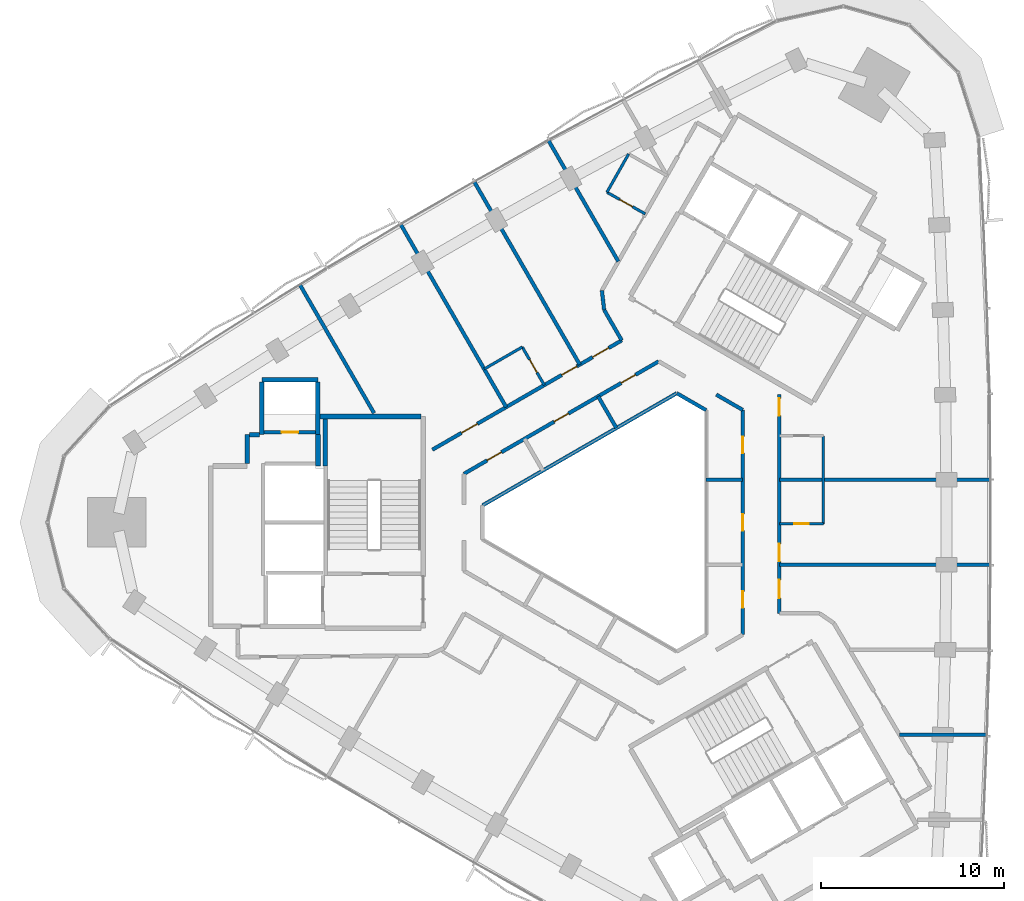
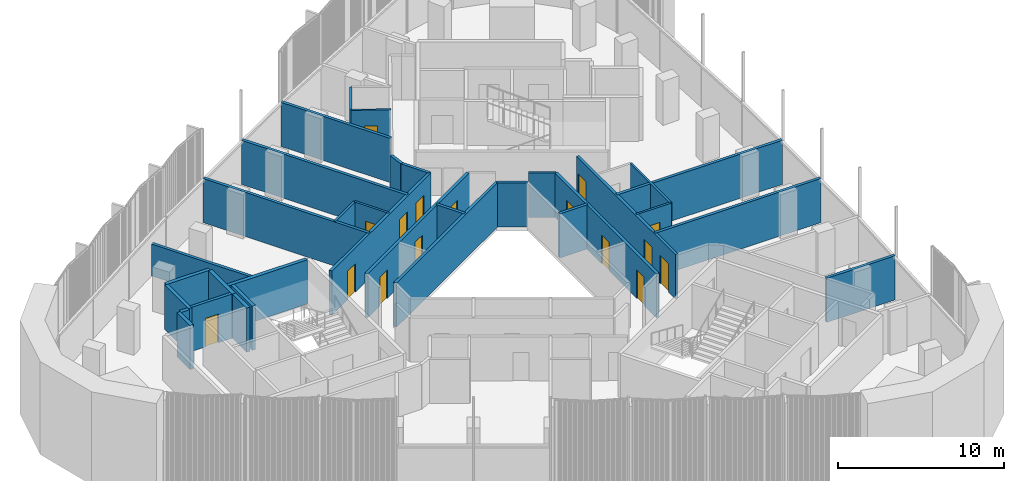
# One storey, part 9 of 14: 33 walls, 16 doors, 16 openings.
"""IFC4 building model written with IfcOpenShell, lengths in metres."""

from ifc_helpers import new_model, si_unit, direction, frame, frame_2d, origin, place, context, subcontext, project, spatial, rectangle, extrude, material, layer, layer_set, type_object, element, fill, save


model = new_model("IFC4")

# Units and contexts
model_context = context("Model", 3, precision=1e-05, world=origin(), true_north=direction((0.0, 1.0)))
body_context = subcontext(model_context, "Body", "Model", "MODEL_VIEW")
ifc_project = project(units=[si_unit("LENGTHUNIT", "METRE"), si_unit("AREAUNIT", "SQUARE_METRE"), si_unit("VOLUMEUNIT", "CUBIC_METRE"), si_unit("PLANEANGLEUNIT", "RADIAN"), si_unit("MASSUNIT", "GRAM", prefix="KILO")], contexts=[model_context])

# Site, building, storey
site_placement = place(None, origin())
site = spatial("IfcSite", under=ifc_project, at=site_placement, CompositionType="ELEMENT")
building_placement = place(site_placement, origin())
building = spatial("IfcBuilding", under=site, at=building_placement, Name="Tamra Quay Hotel Tower", CompositionType="ELEMENT")
storey_placement = place(building_placement, frame((0.0, 0.0, 197.199951171875)))
storey = spatial("IfcBuildingStorey", under=building, at=storey_placement, Name="L49", CompositionType="ELEMENT", Elevation=197.199951171875)

# Wall, opening, door
ifc_material_1 = material(Name="Concrete M70", Category="concrete")
ifc_layer_1 = layer(ifc_material_1, 0.199951171875)
ifc_layer_set_1 = layer_set([ifc_layer_1], Name="Concrete M70 core wall 200")
wall_type_1 = type_object("IfcWallType", Name="Concrete M70 core wall 200", PredefinedType="SHEAR", material=ifc_layer_set_1)
wall_1_placement = place(storey_placement, frame((-19.51123046875, 4.91015625, 0.0), z_axis=(0.0, 0.0, 1.0), x_axis=(1.0, 0.0, 0.0)))
wall_1 = element("IfcWall", 1, at=wall_1_placement, inside=storey, type_object=wall_type_1, Name="CW2", PredefinedType="SHEAR", context=body_context, shape_type="SweptSolid", body=[
    extrude(rectangle(XDim=2.7978515625, YDim=0.199951171875, at=frame_2d((1.39892578125, 0.0))), origin(), (0.0, 0.0, 1.0), 3.25),
])
opening_1_placement = place(wall_1_placement, frame((0.948974609375, 0.0, 0.0)))
opening_1 = element("IfcOpeningElement", 2, at=opening_1_placement, cuts=wall_1, Name="Opening D1", PredefinedType="OPENING", context=body_context, shape_type="SweptSolid", body=[
    extrude(rectangle(XDim=0.89990234375, YDim=2.10009765625, at=frame_2d((0.449951171875, 1.050048828125))), frame((0.0, 0.10986328125, 0.0), z_axis=(0.0, -1.0, 0.0), x_axis=(1.0, 0.0, 0.0)), (0.0, 0.0, 1.0), 0.219970703125),
])
ifc_material_2 = material(Name="Core door D1 900x2100 LH")
door_type_1 = type_object("IfcDoorType", Name="Core door D1 900x2100 LH", OperationType="NOTDEFINED", PredefinedType="DOOR", material=ifc_material_2)
door_1_placement = place(opening_1_placement, origin())
door_1 = element("IfcDoor", 3, at=door_1_placement, inside=storey, type_object=door_type_1, Name="D1", OperationType="SINGLE_SWING_LEFT", OverallHeight=2.10009765625, OverallWidth=0.89990234375, PredefinedType="DOOR", context=body_context, shape_type="SweptSolid", body=[
    extrude(rectangle(XDim=0.89990234375, YDim=2.10009765625, at=frame_2d((0.449951171875, 1.050048828125))), frame((0.0, 0.02490234375, 0.0), z_axis=(0.0, -1.0, 0.0), x_axis=(1.0, 0.0, 0.0)), (0.0, 0.0, 1.0), 0.050048828125),
])
fill(opening_1, door_1)

# Walls
ifc_layer_2 = layer(ifc_material_1, 0.25)
ifc_layer_set_2 = layer_set([ifc_layer_2], Name="Concrete M70 core wall 250")
wall_type_2 = type_object("IfcWallType", Name="Concrete M70 core wall 250", PredefinedType="SHEAR", material=ifc_layer_set_2)
wall_2_placement = place(storey_placement, frame((-16.47216796875, 5.77490234375, 0.0), z_axis=(0.0, 0.0, 1.0), x_axis=(1.0, 0.0, 0.0)))
element("IfcWall", 4, at=wall_2_placement, inside=storey, type_object=wall_type_2, Name="CW1", PredefinedType="SHEAR", context=body_context, shape_type="SweptSolid", body=[
    extrude(rectangle(XDim=5.509521484375, YDim=0.25, at=frame_2d((2.7548828125, 0.0))), origin(), (0.0, 0.0, 1.0), 3.25),
])
wall_3_placement = place(storey_placement, frame((-19.63720703125, 7.77490234375, 0.0), z_axis=(0.0, 0.0, 1.0), x_axis=(1.0, 0.0, 0.0)))
element("IfcWall", 5, at=wall_3_placement, inside=storey, type_object=wall_type_2, Name="CW1", PredefinedType="SHEAR", context=body_context, shape_type="SweptSolid", body=[
    extrude(rectangle(XDim=3.0498046875, YDim=0.25, at=frame_2d((1.52490234375, 0.0))), origin(), (0.0, 0.0, 1.0), 3.25),
])
for number, where, z_axis, x_axis, name in (
    (6, (-16.58740234375, 7.649658203125, 0.0), (0.0, 0.0, 1.0), (0.0, -1.0, 0.0), "CW1"),
    (7, (-19.63720703125, 4.784912109375, 0.0), (0.0, 0.0, 1.0), (0.0, 1.0, 0.0), "CW1"),
):
    element("IfcWall", number, at=place(storey_placement, frame(where, z_axis=z_axis, x_axis=x_axis)), inside=storey, type_object=wall_type_2, Name=name, PredefinedType="SHEAR", context=body_context, shape_type="SweptSolid", body=[
        extrude(rectangle(XDim=2.86474609375, YDim=0.25, at=frame_2d((1.432373046875, 0.0))), origin(), (0.0, 0.0, 1.0), 3.25),
    ])
wall_4_placement = place(storey_placement, frame((-16.187255859375, 3.074951171875, 0.0), z_axis=(0.0, 0.0, 1.0), x_axis=(0.0, 1.0, 0.0)))
element("IfcWall", 8, at=wall_4_placement, inside=storey, type_object=wall_type_2, Name="CW1", PredefinedType="SHEAR", context=body_context, shape_type="SweptSolid", body=[
    extrude(rectangle(XDim=2.57470703125, YDim=0.25, at=frame_2d((1.287353515625, 0.0))), origin(), (0.0, 0.0, 1.0), 3.25),
])
wall_5_placement = place(storey_placement, frame((-16.577392578125, 4.784912109375, 0.0), z_axis=(0.0, 0.0, 1.0), x_axis=(0.0, -1.0, 0.0)))
element("IfcWall", 9, at=wall_5_placement, inside=storey, type_object=wall_type_2, Name="CW1", PredefinedType="SHEAR", context=body_context, shape_type="SweptSolid", body=[
    extrude(rectangle(XDim=1.7099609375, YDim=0.25, at=frame_2d((0.85498046875, 0.0))), origin(), (0.0, 0.0, 1.0), 3.25),
])
wall_6_placement = place(storey_placement, frame((-20.447265625, 3.200439453125, 0.0), z_axis=(0.0, 0.0, 1.0), x_axis=(0.0, 1.0, 0.0)))
element("IfcWall", 10, at=wall_6_placement, inside=storey, type_object=wall_type_2, Name="CW1", PredefinedType="SHEAR", context=body_context, shape_type="SweptSolid", body=[
    extrude(rectangle(XDim=1.58447265625, YDim=0.25, at=frame_2d((0.792236328125, 0.0))), origin(), (0.0, 0.0, 1.0), 3.25),
])
wall_7_placement = place(storey_placement, frame((-20.32177734375, 4.784912109375, 0.0), z_axis=(0.0, 0.0, 1.0), x_axis=(1.0, 0.0, 0.0)))
element("IfcWall", 11, at=wall_7_placement, inside=storey, type_object=wall_type_2, Name="CW1", PredefinedType="SHEAR", context=body_context, shape_type="SweptSolid", body=[
    extrude(rectangle(XDim=0.55908203125, YDim=0.25, at=frame_2d((0.279541015625, 0.0))), origin(), (0.0, 0.0, 1.0), 3.25),
])

# Wall, openings, doors
ifc_material_3 = material(Name="Partition corridor wall")
ifc_layer_3 = layer(ifc_material_3, 0.199951171875)
ifc_layer_set_3 = layer_set([ifc_layer_3], Name="Partition corridor wall")
wall_type_3 = type_object("IfcWallType", Name="Partition corridor wall", PredefinedType="PARTITIONING", material=ifc_layer_set_3)
wall_8_placement = place(storey_placement, frame((-10.33447265625, 3.963134765625, 0.0), z_axis=(0.0, 0.0, 1.0), x_axis=(0.866013159114, 0.500021207791, 0.0)))
wall_8 = element("IfcWall", 12, at=wall_8_placement, inside=storey, type_object=wall_type_3, Name="W-C", PredefinedType="PARTITIONING", context=body_context, shape_type="SweptSolid", body=[
    extrude(rectangle(XDim=11.93115234375, YDim=0.199951171875, at=frame_2d((5.965576171875, 0.0))), origin(), (0.0, 0.0, 1.0), 3.25),
])
opening_2_placement = place(wall_8_placement, frame((10.103271484375, 0.0, 0.0)))
opening_2 = element("IfcOpeningElement", 13, at=opening_2_placement, cuts=wall_8, Name="Opening L49-D011", PredefinedType="OPENING", context=body_context, shape_type="SweptSolid", body=[
    extrude(rectangle(XDim=1.0, YDim=2.10009765625, at=frame_2d((0.5, 1.050048828125))), frame((0.0, 0.10986328125, 0.0), z_axis=(0.0, -1.0, 0.0), x_axis=(1.0, 0.0, 0.0)), (0.0, 0.0, 1.0), 0.219970703125),
])
opening_3_placement = place(wall_8_placement, frame((8.148681640625, 0.0, 0.0)))
opening_3 = element("IfcOpeningElement", 14, at=opening_3_placement, cuts=wall_8, Name="Opening L49-D012", PredefinedType="OPENING", context=body_context, shape_type="SweptSolid", body=[
    extrude(rectangle(XDim=0.949951171875, YDim=2.10009765625, at=frame_2d((0.47509765625, 1.050048828125))), frame((0.0, 0.10986328125, 0.0), z_axis=(0.0, -1.0, 0.0), x_axis=(1.0, 0.0, 0.0)), (0.0, 0.0, 1.0), 0.219970703125),
])
opening_4_placement = place(wall_8_placement, frame((1.83056640625, 0.0, 0.0)))
opening_4 = element("IfcOpeningElement", 15, at=opening_4_placement, cuts=wall_8, Name="Opening L49-D014", PredefinedType="OPENING", context=body_context, shape_type="SweptSolid", body=[
    extrude(rectangle(XDim=1.0, YDim=2.10009765625, at=frame_2d((0.5, 1.050048828125))), frame((0.0, 0.10986328125, 0.0), z_axis=(0.0, -1.0, 0.0), x_axis=(1.0, 0.0, 0.0)), (0.0, 0.0, 1.0), 0.219970703125),
])
ifc_material_4 = material(Name="Door guest room 1000x2100")
door_type_2 = type_object("IfcDoorType", Name="Door guest room 1000x2100", OperationType="NOTDEFINED", PredefinedType="DOOR", material=ifc_material_4)
door_2_placement = place(opening_2_placement, origin())
door_2 = element("IfcDoor", 16, at=door_2_placement, inside=storey, type_object=door_type_2, Name="L49-D011", OperationType="SINGLE_SWING_LEFT", OverallHeight=2.10009765625, OverallWidth=1.0, PredefinedType="DOOR", context=body_context, shape_type="SweptSolid", body=[
    extrude(rectangle(XDim=1.0, YDim=2.10009765625, at=frame_2d((0.5, 1.050048828125))), frame((0.0, 0.02490234375, 0.0), z_axis=(0.0, -1.0, 0.0), x_axis=(1.0, 0.0, 0.0)), (0.0, 0.0, 1.0), 0.050048828125),
])
fill(opening_2, door_2)
door_3_placement = place(opening_4_placement, origin())
door_3 = element("IfcDoor", 17, at=door_3_placement, inside=storey, type_object=door_type_2, Name="L49-D014", OperationType="SINGLE_SWING_LEFT", OverallHeight=2.10009765625, OverallWidth=1.0, PredefinedType="DOOR", context=body_context, shape_type="SweptSolid", body=[
    extrude(rectangle(XDim=1.0, YDim=2.10009765625, at=frame_2d((0.5, 1.050048828125))), frame((0.0, 0.02490234375, 0.0), z_axis=(0.0, -1.0, 0.0), x_axis=(1.0, 0.0, 0.0)), (0.0, 0.0, 1.0), 0.050048828125),
])
fill(opening_4, door_3)
ifc_material_5 = material(Name="Door guest room 950x2100")
door_type_3 = type_object("IfcDoorType", Name="Door guest room 950x2100", OperationType="NOTDEFINED", PredefinedType="DOOR", material=ifc_material_5)
door_4_placement = place(opening_3_placement, origin())
door_4 = element("IfcDoor", 18, at=door_4_placement, inside=storey, type_object=door_type_3, Name="L49-D012", OperationType="SINGLE_SWING_LEFT", OverallHeight=2.10009765625, OverallWidth=0.949951171875, PredefinedType="DOOR", context=body_context, shape_type="SweptSolid", body=[
    extrude(rectangle(XDim=0.949951171875, YDim=2.10009765625, at=frame_2d((0.47509765625, 1.050048828125))), frame((0.0, 0.02490234375, 0.0), z_axis=(0.0, -1.0, 0.0), x_axis=(1.0, 0.0, 0.0)), (0.0, 0.0, 1.0), 0.050048828125),
])
fill(opening_3, door_4)

wall_9_placement = place(storey_placement, frame((-8.611083984375, 2.647705078125, 0.0), z_axis=(0.0, 0.0, 1.0), x_axis=(0.865953566425, 0.500124405319, 0.0)))
wall_9 = element("IfcWall", 19, at=wall_9_placement, inside=storey, type_object=wall_type_3, Name="W-C", PredefinedType="PARTITIONING", context=body_context, shape_type="SweptSolid", body=[
    extrude(rectangle(XDim=12.267333984375, YDim=0.199951171875, at=frame_2d((6.1337890625, 0.0))), origin(), (0.0, 0.0, 1.0), 3.25),
])
opening_5_placement = place(wall_9_placement, frame((9.904052734375, 0.0, 0.0)))
opening_5 = element("IfcOpeningElement", 20, at=opening_5_placement, cuts=wall_9, Name="Opening L49-D024", PredefinedType="OPENING", context=body_context, shape_type="SweptSolid", body=[
    extrude(rectangle(XDim=0.89990234375, YDim=2.10009765625, at=frame_2d((0.449951171875, 1.050048828125))), frame((0.0, 0.10986328125, 0.0), z_axis=(0.0, -1.0, 0.0), x_axis=(1.0, 0.0, 0.0)), (0.0, 0.0, 1.0), 0.219970703125),
])
opening_6_placement = place(wall_9_placement, frame((5.683349609375, 0.0, 0.0)))
opening_6 = element("IfcOpeningElement", 21, at=opening_6_placement, cuts=wall_9, Name="Opening L49-D025", PredefinedType="OPENING", context=body_context, shape_type="SweptSolid", body=[
    extrude(rectangle(XDim=0.89990234375, YDim=2.10009765625, at=frame_2d((0.449951171875, 1.050048828125))), frame((0.0, 0.10986328125, 0.0), z_axis=(0.0, -1.0, 0.0), x_axis=(1.0, 0.0, 0.0)), (0.0, 0.0, 1.0), 0.219970703125),
])
opening_7_placement = place(wall_9_placement, frame((1.46337890625, 0.0, 0.0)))
opening_7 = element("IfcOpeningElement", 22, at=opening_7_placement, cuts=wall_9, Name="Opening L49-D026", PredefinedType="OPENING", context=body_context, shape_type="SweptSolid", body=[
    extrude(rectangle(XDim=0.89990234375, YDim=2.10009765625, at=frame_2d((0.449951171875, 1.050048828125))), frame((0.0, 0.10986328125, 0.0), z_axis=(0.0, -1.0, 0.0), x_axis=(1.0, 0.0, 0.0)), (0.0, 0.0, 1.0), 0.219970703125),
])
ifc_material_6 = material(Name="Door service room 900x2100")
door_type_4 = type_object("IfcDoorType", Name="Door service room 900x2100", OperationType="NOTDEFINED", PredefinedType="DOOR", material=ifc_material_6)
door_5_placement = place(opening_5_placement, frame((0.89990234375, 0.0, 0.0), z_axis=(0.0, 0.0, 1.0), x_axis=(-1.0, 0.0, 0.0)))
door_5 = element("IfcDoor", 23, at=door_5_placement, inside=storey, type_object=door_type_4, Name="L49-D024", OperationType="SINGLE_SWING_LEFT", OverallHeight=2.10009765625, OverallWidth=0.89990234375, PredefinedType="DOOR", context=body_context, shape_type="SweptSolid", body=[
    extrude(rectangle(XDim=0.89990234375, YDim=2.10009765625, at=frame_2d((0.449951171875, 1.050048828125))), frame((0.0, 0.02490234375, 0.0), z_axis=(0.0, -1.0, 0.0), x_axis=(1.0, 0.0, 0.0)), (0.0, 0.0, 1.0), 0.050048828125),
])
fill(opening_5, door_5)
door_6_placement = place(opening_6_placement, frame((0.89990234375, 0.0, 0.0), z_axis=(0.0, 0.0, 1.0), x_axis=(-1.0, 0.0, 0.0)))
door_6 = element("IfcDoor", 24, at=door_6_placement, inside=storey, type_object=door_type_4, Name="L49-D025", OperationType="SINGLE_SWING_LEFT", OverallHeight=2.10009765625, OverallWidth=0.89990234375, PredefinedType="DOOR", context=body_context, shape_type="SweptSolid", body=[
    extrude(rectangle(XDim=0.89990234375, YDim=2.10009765625, at=frame_2d((0.449951171875, 1.050048828125))), frame((0.0, 0.02490234375, 0.0), z_axis=(0.0, -1.0, 0.0), x_axis=(1.0, 0.0, 0.0)), (0.0, 0.0, 1.0), 0.050048828125),
])
fill(opening_6, door_6)
door_7_placement = place(opening_7_placement, frame((0.89990234375, 0.0, 0.0), z_axis=(0.0, 0.0, 1.0), x_axis=(-1.0, 0.0, 0.0)))
door_7 = element("IfcDoor", 25, at=door_7_placement, inside=storey, type_object=door_type_4, Name="L49-D026", OperationType="SINGLE_SWING_LEFT", OverallHeight=2.10009765625, OverallWidth=0.89990234375, PredefinedType="DOOR", context=body_context, shape_type="SweptSolid", body=[
    extrude(rectangle(XDim=0.89990234375, YDim=2.10009765625, at=frame_2d((0.449951171875, 1.050048828125))), frame((0.0, 0.02490234375, 0.0), z_axis=(0.0, -1.0, 0.0), x_axis=(1.0, 0.0, 0.0)), (0.0, 0.0, 1.0), 0.050048828125),
])
fill(opening_7, door_7)

# Walls
wall_10_placement = place(storey_placement, frame((-1.0849609375, 12.64990234375, 0.0), z_axis=(0.0, 0.0, 1.0), x_axis=(0.113812454263, -0.993502252264, 0.0)))
element("IfcWall", 26, at=wall_10_placement, inside=storey, type_object=wall_type_3, Name="W-C", PredefinedType="PARTITIONING", context=body_context, shape_type="SweptSolid", body=[
    extrude(rectangle(XDim=1.061767578125, YDim=0.199951171875, at=frame_2d((0.53076171875, 0.0))), origin(), (0.0, 0.0, 1.0), 3.25),
])
wall_11_placement = place(storey_placement, frame((-0.964111328125, 11.594970703125, 0.0), z_axis=(0.0, 0.0, 1.0), x_axis=(0.500110566207, -0.865961558944, 0.0)))
element("IfcWall", 27, at=wall_11_placement, inside=storey, type_object=wall_type_3, Name="W-C", PredefinedType="PARTITIONING", context=body_context, shape_type="SweptSolid", body=[
    extrude(rectangle(XDim=1.923828125, YDim=0.199951171875, at=frame_2d((0.9619140625, 0.0))), origin(), (0.0, 0.0, 1.0), 3.25),
])
wall_12_placement = place(storey_placement, frame((5.156005859375, 6.968017578125, 0.0), z_axis=(0.0, 0.0, 1.0), x_axis=(0.865963705197, -0.500106849865, 0.0)))
element("IfcWall", 28, at=wall_12_placement, inside=storey, type_object=wall_type_3, Name="W-C", PredefinedType="PARTITIONING", context=body_context, shape_type="SweptSolid", body=[
    extrude(rectangle(XDim=1.667724609375, YDim=0.199951171875, at=frame_2d((0.833984375, 0.0))), origin(), (0.0, 0.0, 1.0), 3.25),
])

# Wall, openings, doors
wall_13_placement = place(storey_placement, frame((6.60009765625, -6.134033203125, 0.0), z_axis=(0.0, 0.0, 1.0), x_axis=(0.0, 1.0, 0.0)))
wall_13 = element("IfcWall", 29, at=wall_13_placement, inside=storey, type_object=wall_type_3, Name="W-C", PredefinedType="PARTITIONING", context=body_context, shape_type="SweptSolid", body=[
    extrude(rectangle(XDim=12.26806640625, YDim=0.199951171875, at=frame_2d((6.134033203125, 0.0))), origin(), (0.0, 0.0, 1.0), 3.25),
])
opening_8_placement = place(wall_13_placement, frame((1.46337890625, 0.0, 0.0)))
opening_8 = element("IfcOpeningElement", 30, at=opening_8_placement, cuts=wall_13, Name="Opening L49-D021", PredefinedType="OPENING", context=body_context, shape_type="SweptSolid", body=[
    extrude(rectangle(XDim=0.89990234375, YDim=2.10009765625, at=frame_2d((0.449951171875, 1.050048828125))), frame((0.0, 0.10986328125, 0.0), z_axis=(0.0, -1.0, 0.0), x_axis=(1.0, 0.0, 0.0)), (0.0, 0.0, 1.0), 0.219970703125),
])
opening_9_placement = place(wall_13_placement, frame((5.68408203125, 0.0, 0.0)))
opening_9 = element("IfcOpeningElement", 31, at=opening_9_placement, cuts=wall_13, Name="Opening L49-D022", PredefinedType="OPENING", context=body_context, shape_type="SweptSolid", body=[
    extrude(rectangle(XDim=0.89990234375, YDim=2.10009765625, at=frame_2d((0.449951171875, 1.050048828125))), frame((0.0, 0.10986328125, 0.0), z_axis=(0.0, -1.0, 0.0), x_axis=(1.0, 0.0, 0.0)), (0.0, 0.0, 1.0), 0.219970703125),
])
opening_10_placement = place(wall_13_placement, frame((9.904541015625, 0.0, 0.0)))
opening_10 = element("IfcOpeningElement", 32, at=opening_10_placement, cuts=wall_13, Name="Opening L49-D023", PredefinedType="OPENING", context=body_context, shape_type="SweptSolid", body=[
    extrude(rectangle(XDim=0.89990234375, YDim=2.10009765625, at=frame_2d((0.449951171875, 1.050048828125))), frame((0.0, 0.10986328125, 0.0), z_axis=(0.0, -1.0, 0.0), x_axis=(1.0, 0.0, 0.0)), (0.0, 0.0, 1.0), 0.219970703125),
])
door_8_placement = place(opening_8_placement, origin())
door_8 = element("IfcDoor", 33, at=door_8_placement, inside=storey, type_object=door_type_4, Name="L49-D021", OperationType="SINGLE_SWING_LEFT", OverallHeight=2.10009765625, OverallWidth=0.89990234375, PredefinedType="DOOR", context=body_context, shape_type="SweptSolid", body=[
    extrude(rectangle(XDim=0.89990234375, YDim=2.10009765625, at=frame_2d((0.449951171875, 1.050048828125))), frame((0.0, 0.02490234375, 0.0), z_axis=(0.0, -1.0, 0.0), x_axis=(1.0, 0.0, 0.0)), (0.0, 0.0, 1.0), 0.050048828125),
])
fill(opening_8, door_8)
door_9_placement = place(opening_9_placement, origin())
door_9 = element("IfcDoor", 34, at=door_9_placement, inside=storey, type_object=door_type_4, Name="L49-D022", OperationType="SINGLE_SWING_LEFT", OverallHeight=2.10009765625, OverallWidth=0.89990234375, PredefinedType="DOOR", context=body_context, shape_type="SweptSolid", body=[
    extrude(rectangle(XDim=0.89990234375, YDim=2.10009765625, at=frame_2d((0.449951171875, 1.050048828125))), frame((0.0, 0.02490234375, 0.0), z_axis=(0.0, -1.0, 0.0), x_axis=(1.0, 0.0, 0.0)), (0.0, 0.0, 1.0), 0.050048828125),
])
fill(opening_9, door_9)
door_10_placement = place(opening_10_placement, origin())
door_10 = element("IfcDoor", 35, at=door_10_placement, inside=storey, type_object=door_type_4, Name="L49-D023", OperationType="SINGLE_SWING_LEFT", OverallHeight=2.10009765625, OverallWidth=0.89990234375, PredefinedType="DOOR", context=body_context, shape_type="SweptSolid", body=[
    extrude(rectangle(XDim=0.89990234375, YDim=2.10009765625, at=frame_2d((0.449951171875, 1.050048828125))), frame((0.0, 0.02490234375, 0.0), z_axis=(0.0, -1.0, 0.0), x_axis=(1.0, 0.0, 0.0)), (0.0, 0.0, 1.0), 0.050048828125),
])
fill(opening_10, door_10)

wall_14_placement = place(storey_placement, frame((8.60009765625, -4.966064453125, 0.0), z_axis=(0.0, 0.0, 1.0), x_axis=(0.0, 1.0, 0.0)))
wall_14 = element("IfcWall", 36, at=wall_14_placement, inside=storey, type_object=wall_type_3, Name="W-C", PredefinedType="PARTITIONING", context=body_context, shape_type="SweptSolid", body=[
    extrude(rectangle(XDim=11.93408203125, YDim=0.199951171875, at=frame_2d((5.967041015625, 0.0))), origin(), (0.0, 0.0, 1.0), 3.25),
])
opening_11_placement = place(wall_14_placement, frame((0.82958984375, 0.0, 0.0)))
opening_11 = element("IfcOpeningElement", 37, at=opening_11_placement, cuts=wall_14, Name="Opening L49-D003", PredefinedType="OPENING", context=body_context, shape_type="SweptSolid", body=[
    extrude(rectangle(XDim=1.0, YDim=2.10009765625, at=frame_2d((0.5, 1.050048828125))), frame((0.0, 0.10986328125, 0.0), z_axis=(0.0, -1.0, 0.0), x_axis=(1.0, 0.0, 0.0)), (0.0, 0.0, 1.0), 0.219970703125),
])
opening_12_placement = place(wall_14_placement, frame((2.8349609375, 0.0, 0.0)))
opening_12 = element("IfcOpeningElement", 38, at=opening_12_placement, cuts=wall_14, Name="Opening L49-D004", PredefinedType="OPENING", context=body_context, shape_type="SweptSolid", body=[
    extrude(rectangle(XDim=0.949951171875, YDim=2.10009765625, at=frame_2d((0.47509765625, 1.050048828125))), frame((0.0, 0.10986328125, 0.0), z_axis=(0.0, -1.0, 0.0), x_axis=(1.0, 0.0, 0.0)), (0.0, 0.0, 1.0), 0.219970703125),
])
opening_13_placement = place(wall_14_placement, frame((10.783935546875, 0.0, 0.0)))
opening_13 = element("IfcOpeningElement", 39, at=opening_13_placement, cuts=wall_14, Name="Opening L49-D006", PredefinedType="OPENING", context=body_context, shape_type="SweptSolid", body=[
    extrude(rectangle(XDim=0.949951171875, YDim=2.10009765625, at=frame_2d((0.47509765625, 1.050048828125))), frame((0.0, 0.10986328125, 0.0), z_axis=(0.0, -1.0, 0.0), x_axis=(1.0, 0.0, 0.0)), (0.0, 0.0, 1.0), 0.219970703125),
])
door_11_placement = place(opening_11_placement, frame((1.0, 0.0, 0.0), z_axis=(0.0, 0.0, 1.0), x_axis=(-1.0, 0.0, 0.0)))
door_11 = element("IfcDoor", 40, at=door_11_placement, inside=storey, type_object=door_type_2, Name="L49-D003", OperationType="SINGLE_SWING_LEFT", OverallHeight=2.10009765625, OverallWidth=1.0, PredefinedType="DOOR", context=body_context, shape_type="SweptSolid", body=[
    extrude(rectangle(XDim=1.0, YDim=2.10009765625, at=frame_2d((0.5, 1.050048828125))), frame((0.0, 0.02490234375, 0.0), z_axis=(0.0, -1.0, 0.0), x_axis=(1.0, 0.0, 0.0)), (0.0, 0.0, 1.0), 0.050048828125),
])
fill(opening_11, door_11)
door_12_placement = place(opening_12_placement, frame((0.949951171875, 0.0, 0.0), z_axis=(0.0, 0.0, 1.0), x_axis=(-1.0, 0.0, 0.0)))
door_12 = element("IfcDoor", 41, at=door_12_placement, inside=storey, type_object=door_type_3, Name="L49-D004", OperationType="SINGLE_SWING_LEFT", OverallHeight=2.10009765625, OverallWidth=0.949951171875, PredefinedType="DOOR", context=body_context, shape_type="SweptSolid", body=[
    extrude(rectangle(XDim=0.949951171875, YDim=2.10009765625, at=frame_2d((0.47509765625, 1.050048828125))), frame((0.0, 0.02490234375, 0.0), z_axis=(0.0, -1.0, 0.0), x_axis=(1.0, 0.0, 0.0)), (0.0, 0.0, 1.0), 0.050048828125),
])
fill(opening_12, door_12)
door_13_placement = place(opening_13_placement, frame((0.949951171875, 0.0, 0.0), z_axis=(0.0, 0.0, 1.0), x_axis=(-1.0, 0.0, 0.0)))
door_13 = element("IfcDoor", 42, at=door_13_placement, inside=storey, type_object=door_type_3, Name="L49-D006", OperationType="SINGLE_SWING_LEFT", OverallHeight=2.10009765625, OverallWidth=0.949951171875, PredefinedType="DOOR", context=body_context, shape_type="SweptSolid", body=[
    extrude(rectangle(XDim=0.949951171875, YDim=2.10009765625, at=frame_2d((0.47509765625, 1.050048828125))), frame((0.0, 0.02490234375, 0.0), z_axis=(0.0, -1.0, 0.0), x_axis=(1.0, 0.0, 0.0)), (0.0, 0.0, 1.0), 0.050048828125),
])
fill(opening_13, door_13)

# Wall
ifc_material_7 = material(Name="Partition en-suite wall")
ifc_layer_4 = layer(ifc_material_7, 0.14990234375)
ifc_layer_set_4 = layer_set([ifc_layer_4], Name="Partition en-suite wall")
wall_type_4 = type_object("IfcWallType", Name="Partition en-suite wall", PredefinedType="PARTITIONING", material=ifc_layer_set_4)
wall_15_placement = place(storey_placement, frame((-7.508056640625, 8.365966796875, 0.0), z_axis=(0.0, 0.0, 1.0), x_axis=(0.865822967017, 0.500350466959, 0.0)))
element("IfcWall", 43, at=wall_15_placement, inside=storey, type_object=wall_type_4, Name="W-E", PredefinedType="PARTITIONING", context=body_context, shape_type="SweptSolid", body=[
    extrude(rectangle(XDim=2.400146484375, YDim=0.14990234375, at=frame_2d((1.2001953125, 0.0))), origin(), (0.0, 0.0, 1.0), 3.25),
])

# Wall, opening, door
wall_16_placement = place(storey_placement, frame((-5.429931640625, 9.56689453125, 0.0), z_axis=(0.0, 0.0, 1.0), x_axis=(0.499913221443, -0.866075499611, 0.0)))
wall_16 = element("IfcWall", 44, at=wall_16_placement, inside=storey, type_object=wall_type_4, Name="W-E", PredefinedType="PARTITIONING", context=body_context, shape_type="SweptSolid", body=[
    extrude(rectangle(XDim=2.400390625, YDim=0.14990234375, at=frame_2d((1.2001953125, 0.0))), origin(), (0.0, 0.0, 1.0), 3.25),
])
opening_14_placement = place(wall_16_placement, frame((0.800537109375, 0.0, 0.0)))
opening_14 = element("IfcOpeningElement", 45, at=opening_14_placement, cuts=wall_16, Name="Opening L49-D013", PredefinedType="OPENING", context=body_context, shape_type="SweptSolid", body=[
    extrude(rectangle(XDim=0.800048828125, YDim=2.10009765625, at=frame_2d((0.39990234375, 1.050048828125))), frame((0.0, 0.0849609375, 0.0), z_axis=(0.0, -1.0, 0.0), x_axis=(1.0, 0.0, 0.0)), (0.0, 0.0, 1.0), 0.169921875),
])
ifc_material_8 = material(Name="Door en-suite 800x2100")
door_type_5 = type_object("IfcDoorType", Name="Door en-suite 800x2100", OperationType="NOTDEFINED", PredefinedType="DOOR", material=ifc_material_8)
door_14_placement = place(opening_14_placement, frame((0.800048828125, 0.0, 0.0), z_axis=(0.0, 0.0, 1.0), x_axis=(-1.0, 0.0, 0.0)))
door_14 = element("IfcDoor", 46, at=door_14_placement, inside=storey, type_object=door_type_5, Name="L49-D013", OperationType="SINGLE_SWING_LEFT", OverallHeight=2.10009765625, OverallWidth=0.800048828125, PredefinedType="DOOR", context=body_context, shape_type="SweptSolid", body=[
    extrude(rectangle(XDim=0.800048828125, YDim=2.10009765625, at=frame_2d((0.39990234375, 1.050048828125))), frame((0.0, 0.02490234375, 0.0), z_axis=(0.0, -1.0, 0.0), x_axis=(1.0, 0.0, 0.0)), (0.0, 0.0, 1.0), 0.050048828125),
])
fill(opening_14, door_14)

# Wall
wall_17_placement = place(storey_placement, frame((-0.80908203125, 18.011962890625, 0.0), z_axis=(0.0, 0.0, 1.0), x_axis=(0.492476131012, 0.870325950655, 0.0)))
element("IfcWall", 47, at=wall_17_placement, inside=storey, type_object=wall_type_4, Name="W-E", PredefinedType="PARTITIONING", context=body_context, shape_type="SweptSolid", body=[
    extrude(rectangle(XDim=2.400390625, YDim=0.14990234375, at=frame_2d((1.2001953125, 0.0))), origin(), (0.0, 0.0, 1.0), 3.25),
])

# Wall, opening, door
wall_18_placement = place(storey_placement, frame((-0.80908203125, 18.011962890625, 0.0), z_axis=(0.0, 0.0, 1.0), x_axis=(0.870369543509, -0.492399083806, 0.0)))
wall_18 = element("IfcWall", 48, at=wall_18_placement, inside=storey, type_object=wall_type_4, Name="W-E", PredefinedType="PARTITIONING", context=body_context, shape_type="SweptSolid", body=[
    extrude(rectangle(XDim=2.400146484375, YDim=0.14990234375, at=frame_2d((1.2001953125, 0.0))), origin(), (0.0, 0.0, 1.0), 3.25),
])
opening_15_placement = place(wall_18_placement, frame((0.800048828125, 0.0, 0.0)))
opening_15 = element("IfcOpeningElement", 49, at=opening_15_placement, cuts=wall_18, Name="Opening L49-D010", PredefinedType="OPENING", context=body_context, shape_type="SweptSolid", body=[
    extrude(rectangle(XDim=0.800048828125, YDim=2.10009765625, at=frame_2d((0.39990234375, 1.050048828125))), frame((0.0, 0.0849609375, 0.0), z_axis=(0.0, -1.0, 0.0), x_axis=(1.0, 0.0, 0.0)), (0.0, 0.0, 1.0), 0.169921875),
])
door_15_placement = place(opening_15_placement, origin())
door_15 = element("IfcDoor", 50, at=door_15_placement, inside=storey, type_object=door_type_5, Name="L49-D010", OperationType="SINGLE_SWING_LEFT", OverallHeight=2.10009765625, OverallWidth=0.800048828125, PredefinedType="DOOR", context=body_context, shape_type="SweptSolid", body=[
    extrude(rectangle(XDim=0.800048828125, YDim=2.10009765625, at=frame_2d((0.39990234375, 1.050048828125))), frame((0.0, 0.02490234375, 0.0), z_axis=(0.0, -1.0, 0.0), x_axis=(1.0, 0.0, 0.0)), (0.0, 0.0, 1.0), 0.050048828125),
])
fill(opening_15, door_15)

wall_19_placement = place(storey_placement, frame((8.60009765625, -0.0810546875, 0.0), z_axis=(0.0, 0.0, 1.0), x_axis=(1.0, 0.0, 0.0)))
wall_19 = element("IfcWall", 51, at=wall_19_placement, inside=storey, type_object=wall_type_4, Name="W-E", PredefinedType="PARTITIONING", context=body_context, shape_type="SweptSolid", body=[
    extrude(rectangle(XDim=2.39990234375, YDim=0.14990234375, at=frame_2d((1.199951171875, 0.0))), origin(), (0.0, 0.0, 1.0), 3.25),
])
opening_16_placement = place(wall_19_placement, frame((0.800048828125, 0.0, 0.0)))
opening_16 = element("IfcOpeningElement", 52, at=opening_16_placement, cuts=wall_19, Name="Opening L49-D005", PredefinedType="OPENING", context=body_context, shape_type="SweptSolid", body=[
    extrude(rectangle(XDim=0.800048828125, YDim=2.10009765625, at=frame_2d((0.39990234375, 1.050048828125))), frame((0.0, 0.0849609375, 0.0), z_axis=(0.0, -1.0, 0.0), x_axis=(1.0, 0.0, 0.0)), (0.0, 0.0, 1.0), 0.169921875),
])
door_16_placement = place(opening_16_placement, origin())
door_16 = element("IfcDoor", 53, at=door_16_placement, inside=storey, type_object=door_type_5, Name="L49-D005", OperationType="SINGLE_SWING_LEFT", OverallHeight=2.10009765625, OverallWidth=0.800048828125, PredefinedType="DOOR", context=body_context, shape_type="SweptSolid", body=[
    extrude(rectangle(XDim=0.800048828125, YDim=2.10009765625, at=frame_2d((0.39990234375, 1.050048828125))), frame((0.0, 0.02490234375, 0.0), z_axis=(0.0, -1.0, 0.0), x_axis=(1.0, 0.0, 0.0)), (0.0, 0.0, 1.0), 0.050048828125),
])
fill(opening_16, door_16)

# Walls
wall_20_placement = place(storey_placement, frame((11.0, -0.0810546875, 0.0), z_axis=(0.0, 0.0, 1.0), x_axis=(0.0, 1.0, 0.0)))
element("IfcWall", 54, at=wall_20_placement, inside=storey, type_object=wall_type_4, Name="W-E", PredefinedType="PARTITIONING", context=body_context, shape_type="SweptSolid", body=[
    extrude(rectangle(XDim=4.798095703125, YDim=0.14990234375, at=frame_2d((2.39892578125, 0.0))), origin(), (0.0, 0.0, 1.0), 3.25),
])
ifc_material_9 = material(Name="Partition party wall")
ifc_layer_5 = layer(ifc_material_9, 0.199951171875)
ifc_layer_set_5 = layer_set([ifc_layer_5], Name="Partition party wall")
wall_type_5 = type_object("IfcWallType", Name="Partition party wall", PredefinedType="PARTITIONING", material=ifc_layer_set_5)
wall_21_placement = place(storey_placement, frame((-17.5625, 12.960693359375, 0.0), z_axis=(0.0, 0.0, 1.0), x_axis=(0.500056194816, -0.865992957262, 0.0)))
element("IfcWall", 55, at=wall_21_placement, inside=storey, type_object=wall_type_5, Name="W-P", PredefinedType="PARTITIONING", context=body_context, shape_type="SweptSolid", body=[
    extrude(rectangle(XDim=8.083984375, YDim=0.199951171875, at=frame_2d((4.0419921875, 0.0))), origin(), (0.0, 0.0, 1.0), 2.35009765625),
])
for number, where, z_axis, x_axis, name in (
    (56, (-12.0673828125, 16.263427734375, 0.0), (0.0, 0.0, 1.0), (0.499975646431, -0.866039463868, 0.0), "W-P"),
    (57, (-8.051513671875, 18.58203125, 0.0), (0.0, 0.0, 1.0), (0.500025795397, -0.866010510293, 0.0), "W-P"),
):
    element("IfcWall", number, at=place(storey_placement, frame(where, z_axis=z_axis, x_axis=x_axis)), inside=storey, type_object=wall_type_5, Name=name, PredefinedType="PARTITIONING", context=body_context, shape_type="SweptSolid", body=[
        extrude(rectangle(XDim=11.5185546875, YDim=0.199951171875, at=frame_2d((5.75927734375, 0.0))), origin(), (0.0, 0.0, 1.0), 3.25),
    ])
wall_22_placement = place(storey_placement, frame((-7.59912109375, 0.922607421875, 0.0), z_axis=(0.0, 0.0, 1.0), x_axis=(0.865957029593, 0.500118408877, 0.0)))
element("IfcWall", 58, at=wall_22_placement, inside=storey, type_object=wall_type_5, Name="W-P", PredefinedType="PARTITIONING", context=body_context, shape_type="SweptSolid", body=[
    extrude(rectangle(XDim=12.23974609375, YDim=0.199951171875, at=frame_2d((6.119873046875, 0.0))), origin(), (0.0, 0.0, 1.0), 3.25),
])
wall_23_placement = place(storey_placement, frame((-4.003662109375, 20.844970703125, 0.0), z_axis=(0.0, 0.0, 1.0), x_axis=(0.500003076341, -0.866023627651, 0.0)))
element("IfcWall", 59, at=wall_23_placement, inside=storey, type_object=wall_type_5, Name="W-P", PredefinedType="PARTITIONING", context=body_context, shape_type="SweptSolid", body=[
    extrude(rectangle(XDim=7.63134765625, YDim=0.199951171875, at=frame_2d((3.815673828125, 0.0))), origin(), (0.0, 0.0, 1.0), 3.25),
])
wall_24_placement = place(storey_placement, frame((-1.2919921875, 6.875, 0.0), z_axis=(0.0, 0.0, 1.0), x_axis=(0.50002537861, -0.866010750942, 0.0)))
element("IfcWall", 60, at=wall_24_placement, inside=storey, type_object=wall_type_5, Name="W-P", PredefinedType="PARTITIONING", context=body_context, shape_type="SweptSolid", body=[
    extrude(rectangle(XDim=2.0, YDim=0.199951171875, at=frame_2d((1.0, 0.0))), origin(), (0.0, 0.0, 1.0), 3.25),
])
wall_25_placement = place(storey_placement, frame((3.000244140625, 7.04443359375, 0.0), z_axis=(0.0, 0.0, 1.0), x_axis=(0.865875248522, -0.500259986404, 0.0)))
element("IfcWall", 61, at=wall_25_placement, inside=storey, type_object=wall_type_5, Name="W-P", PredefinedType="PARTITIONING", context=body_context, shape_type="SweptSolid", body=[
    extrude(rectangle(XDim=1.84765625, YDim=0.199951171875, at=frame_2d((0.923828125, 0.0))), origin(), (0.0, 0.0, 1.0), 3.25),
])
wall_26_placement = place(storey_placement, frame((4.60009765625, 2.319091796875, 0.0), z_axis=(0.0, 0.0, 1.0), x_axis=(1.0, 0.0, 0.0)))
element("IfcWall", 62, at=wall_26_placement, inside=storey, type_object=wall_type_5, Name="W-P", PredefinedType="PARTITIONING", context=body_context, shape_type="SweptSolid", body=[
    extrude(rectangle(XDim=2.0, YDim=0.199951171875, at=frame_2d((1.0, 0.0))), origin(), (0.0, 0.0, 1.0), 3.25),
])
for number, where, z_axis, x_axis, name in (
    (63, (8.60009765625, -2.319091796875, 0.0), (0.0, 0.0, 1.0), (1.0, 0.0, 0.0), "W-P"),
    (64, (8.60009765625, 2.319091796875, 0.0), (0.0, 0.0, 1.0), (1.0, 0.0, 0.0), "W-P"),
):
    element("IfcWall", number, at=place(storey_placement, frame(where, z_axis=z_axis, x_axis=x_axis)), inside=storey, type_object=wall_type_5, Name=name, PredefinedType="PARTITIONING", context=body_context, shape_type="SweptSolid", body=[
        extrude(rectangle(XDim=11.51806640625, YDim=0.199951171875, at=frame_2d((5.759033203125, 0.0))), origin(), (0.0, 0.0, 1.0), 3.25),
    ])
wall_27_placement = place(storey_placement, frame((15.154052734375, -11.592041015625, 0.0), z_axis=(0.0, 0.0, 1.0), x_axis=(1.0, 0.0, 0.0)))
element("IfcWall", 65, at=wall_27_placement, inside=storey, type_object=wall_type_5, Name="W-P", PredefinedType="PARTITIONING", context=body_context, shape_type="SweptSolid", body=[
    extrude(rectangle(XDim=4.77197265625, YDim=0.199951171875, at=frame_2d((2.385986328125, 0.0))), origin(), (0.0, 0.0, 1.0), 3.25),
])

save(model, "model.ifc")
